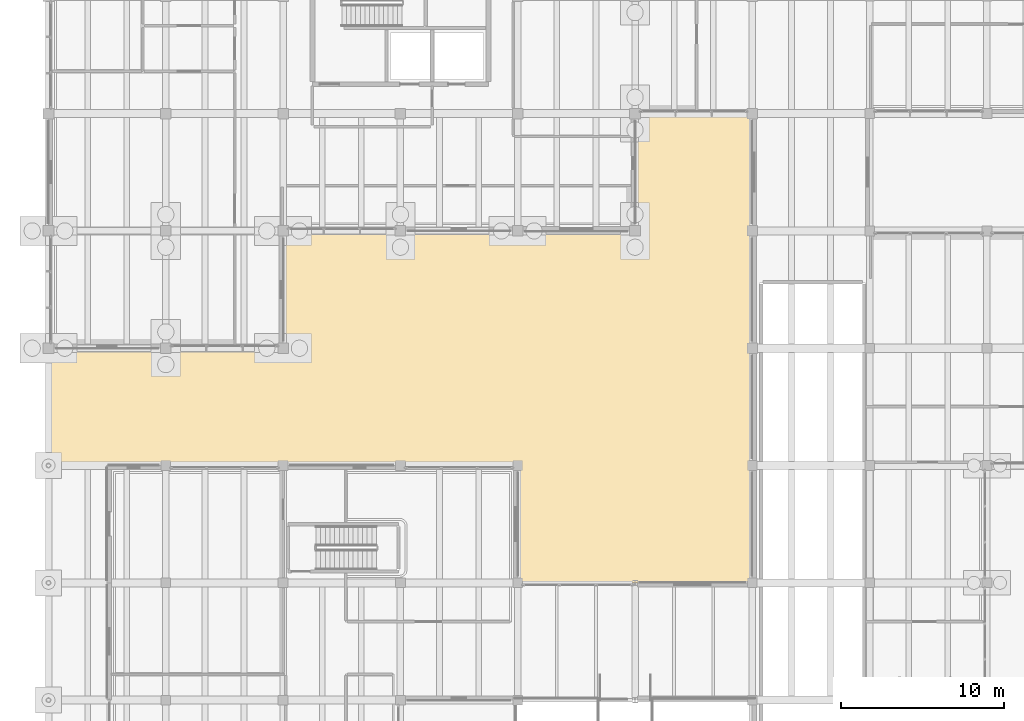
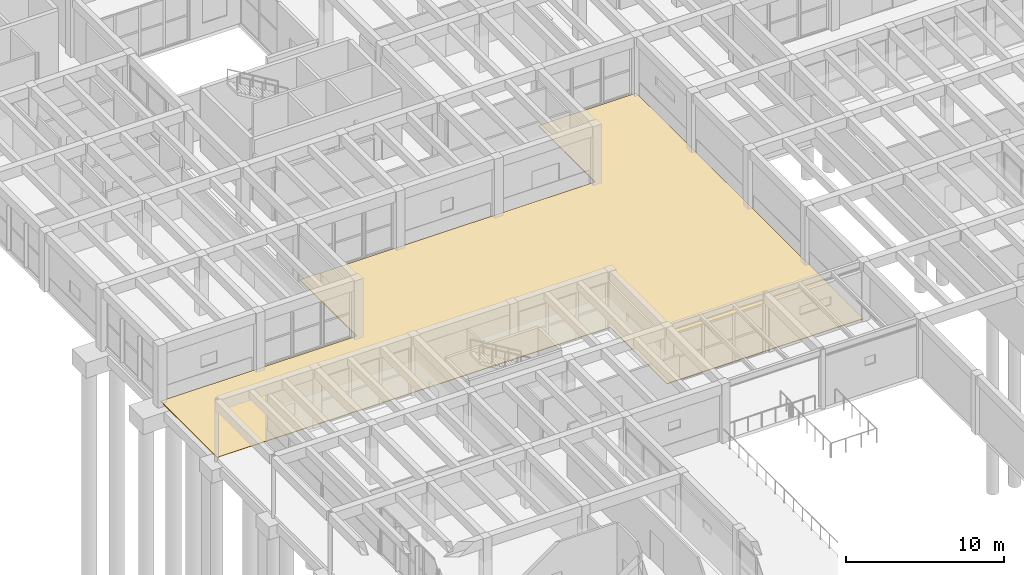
# One storey, part 144 of 155: 1 covering.
"""IFC4 building model written with IfcOpenShell, lengths in metres."""

from ifc_helpers import new_model, si_unit, direction, frame, origin, place, context, subcontext, project, spatial, polyline, outline, extrude, material, layer, layer_set, type_object, element, save


model = new_model("IFC4")

# Units and contexts
model_context = context("Model", 3, precision=1e-05, world=origin(), true_north=direction((0.0, 1.0)))
body_context = subcontext(model_context, "Body", "Model", "MODEL_VIEW")
ifc_project = project(units=[si_unit("LENGTHUNIT", "METRE"), si_unit("AREAUNIT", "SQUARE_METRE"), si_unit("VOLUMEUNIT", "CUBIC_METRE"), si_unit("PLANEANGLEUNIT", "RADIAN"), si_unit("MASSUNIT", "GRAM", prefix="KILO")], contexts=[model_context])

# Site, building, storey
site_placement = place(None, origin())
site = spatial("IfcSite", under=ifc_project, at=site_placement, CompositionType="ELEMENT")
building_placement = place(site_placement, origin())
building = spatial("IfcBuilding", under=site, at=building_placement, Name="Bramvelor Terrace Health Centre", CompositionType="ELEMENT")
storey_placement = place(building_placement, origin())
storey = spatial("IfcBuildingStorey", under=building, at=storey_placement, Name="L01", CompositionType="ELEMENT", Elevation=0.0)

# Covering
ifc_material = material(Name="Flamed granite plaza paving", Category="masonry")
ifc_layer = layer(ifc_material, 0.050048828125)
ifc_layer_set = layer_set([ifc_layer], Name="Flamed granite plaza paving")
covering_type = type_object("IfcCoveringType", Name="COV-PAV-GRAN", PredefinedType="USERDEFINED", material=ifc_layer_set)
covering_placement = place(storey_placement, frame((0.0, 0.0, -0.050048828125)))
element("IfcCovering", 1, at=covering_placement, inside=storey, type_object=covering_type, Name="Campus Granite Grade Apron 2", ObjectType="PAVING", PredefinedType="USERDEFINED", context=body_context, shape_type="SweptSolid", body=[
    extrude(outline(polyline([(14.40087890625, 71.989990234375), (14.402099609375, 71.990234375), (14.40283203125, 71.990478515625), (14.40380859375, 71.99072265625), (14.40478515625, 71.9912109375), (14.405517578125, 71.99169921875), (14.40625, 71.9921875), (14.406982421875, 71.992919921875), (14.40771484375, 71.99365234375), (14.408203125, 71.994384765625), (14.40869140625, 71.995361328125), (14.4091796875, 71.99609375), (14.40966796875, 71.9970703125), (14.409912109375, 71.998046875), (14.409912109375, 71.9990234375), (14.409912109375, 72.0), (14.409912109375, 79.18994140625), (36.0, 79.18994140625), (36.0009765625, 79.18994140625), (36.001953125, 79.190185546875), (36.0029296875, 79.1904296875), (36.00390625, 79.19091796875), (36.004638671875, 79.191162109375), (36.005615234375, 79.191650390625), (36.00634765625, 79.1923828125), (36.007080078125, 79.19287109375), (36.0078125, 79.193603515625), (36.00830078125, 79.1943359375), (36.0087890625, 79.1953125), (36.00927734375, 79.1962890625), (36.009521484375, 79.197021484375), (36.009765625, 79.197998046875), (36.010009765625, 79.198974609375), (36.010009765625, 79.199951171875), (36.010009765625, 86.389892578125), (43.18994140625, 86.389892578125), (43.18994140625, 57.610107421875), (28.81005859375, 57.610107421875), (28.81005859375, 64.800048828125), (28.81005859375, 64.801025390625), (28.809814453125, 64.802001953125), (28.8095703125, 64.802978515625), (28.80908203125, 64.8037109375), (28.808837890625, 64.8046875), (28.808349609375, 64.8056640625), (28.8076171875, 64.806396484375), (28.80712890625, 64.80712890625), (28.806396484375, 64.8076171875), (28.8056640625, 64.808349609375), (28.8046875, 64.808837890625), (28.8037109375, 64.80908203125), (28.802978515625, 64.8095703125), (28.802001953125, 64.809814453125), (28.801025390625, 64.81005859375), (28.800048828125, 64.81005859375), (3.60009765625, 64.81005859375), (3.59912109375, 64.81005859375), (3.597900390625, 64.809814453125), (3.597412109375, 64.809814453125), (3.596923828125, 64.809814453125), (3.595947265625, 64.81005859375), (3.594970703125, 64.81005859375), (0.050048828125, 64.81005859375), (0.050048828125, 71.989990234375), (14.39990234375, 71.989990234375), (14.40087890625, 71.989990234375)])), origin(), (0.0, 0.0, 1.0), 0.050048828125),
])

save(model, "model.ifc")
